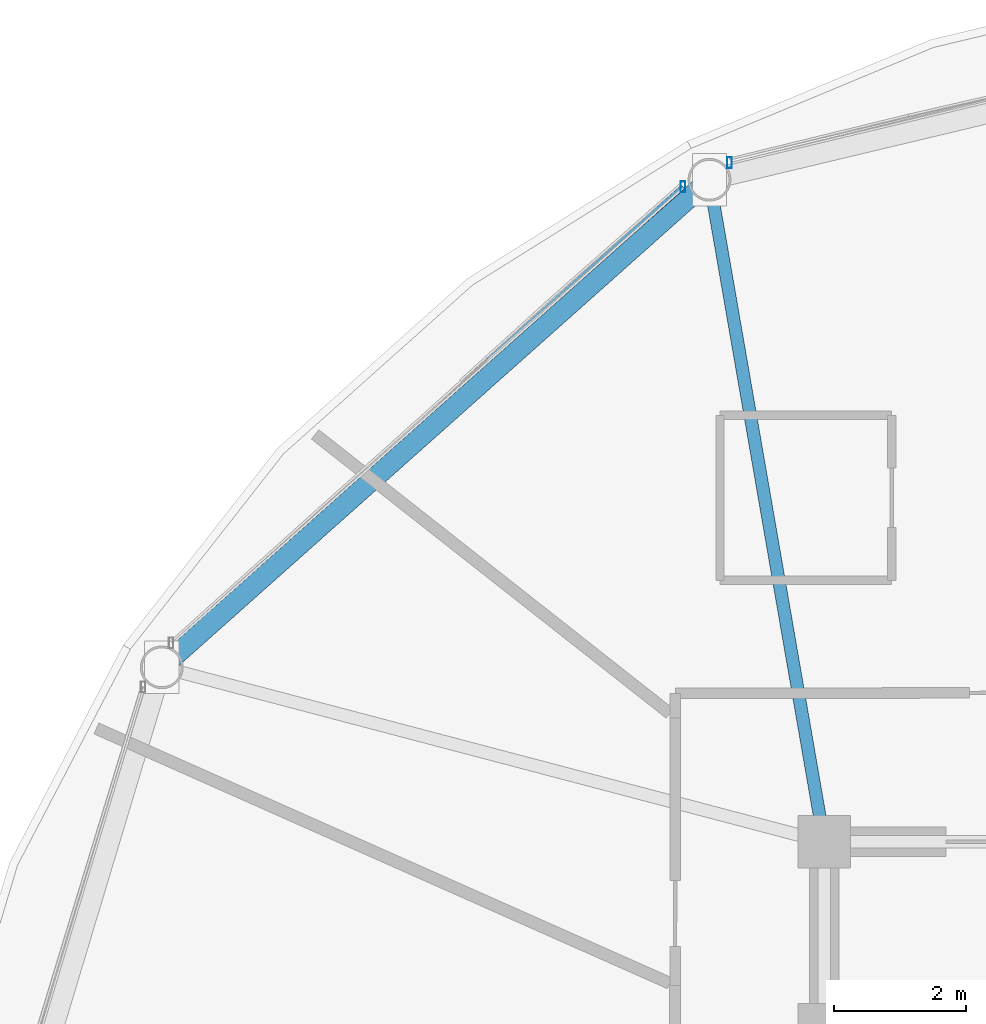
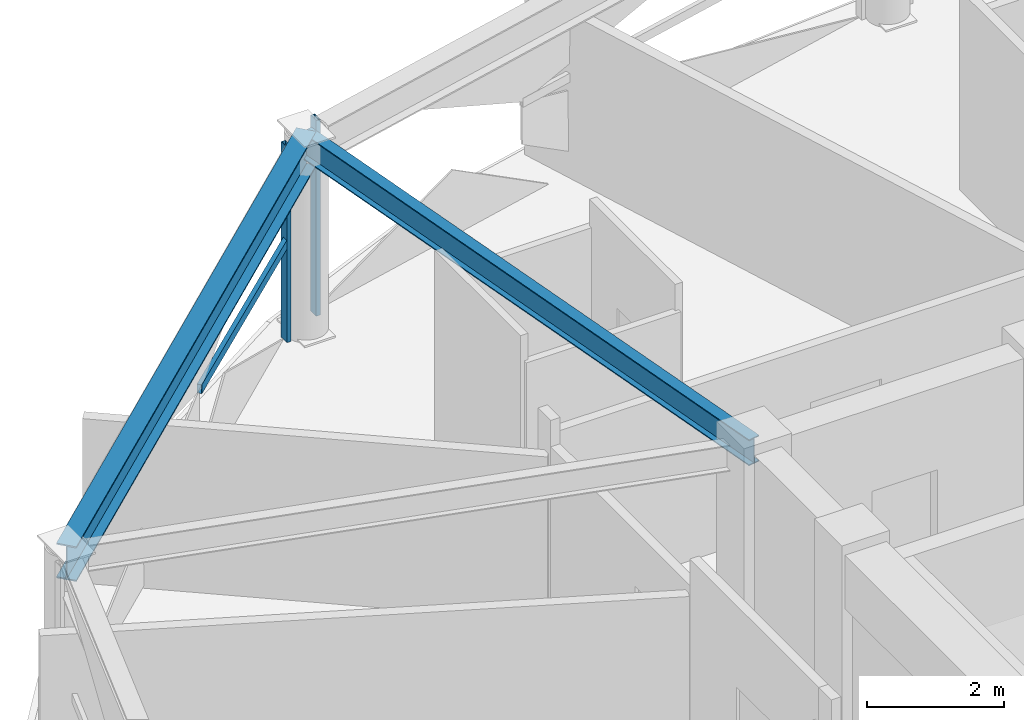
# One storey, part 17 of 30: 3 members, 2 beams, 2 elements without a shape of their own.
"""IFC4 building model written with IfcOpenShell, lengths in metres."""

import ifcopenshell
import ifcopenshell.guid

model = None  # the IFC model being written
_history = None  # IfcOwnerHistory: only IFC2X3 demands one
_inside = {}  # id of a spatial element -> (the spatial element, [elements in it])
_under = {}  # id of a project, library or spatial element -> (it, [spatial elements below it])
_declared = {}  # id of a project -> (the project, [libraries it declares])
_typed = {}  # id of a type object -> (the type object, [elements of that type])
_made_of = {}  # id of a material, layer set ... -> (it, [elements and type objects made of it])


def new_model(schema):
    """Start an empty IFC model of exactly this schema.

    Asked for "IFC4X3", IfcOpenShell would pick the latest addendum, in which some entities
    have other attributes; the version numbers below select the first issue.
    IFC2X3 requires an IfcOwnerHistory on every rooted entity: one is made here for all.
    """
    global model, _history
    if schema == "IFC4X3":
        model = ifcopenshell.file(schema_version=(4, 3, 0, 0))
    else:
        model = ifcopenshell.file(schema=schema)
    _inside.clear()
    _under.clear()
    _declared.clear()
    _typed.clear()
    _made_of.clear()
    _history = None
    if model.schema == "IFC2X3":
        org = make("IfcOrganization", Name="unknown")
        user = make(
            "IfcPersonAndOrganization",
            ThePerson=make("IfcPerson", FamilyName="unknown"),
            TheOrganization=org,
        )
        app = make(
            "IfcApplication",
            ApplicationDeveloper=org,
            Version="unknown",
            ApplicationFullName="unknown",
            ApplicationIdentifier="unknown",
        )
        _history = make(
            "IfcOwnerHistory",
            OwningUser=user,
            OwningApplication=app,
            ChangeAction="ADDED",
            CreationDate=0,
        )
    return model


def make(cls, **values):
    """One entity of the class cls with the attributes given. An attribute that is None is left unset."""
    return model.create_entity(
        cls, **{name: value for name, value in values.items() if value is not None}
    )


def rooted(cls, **values):
    """An entity with a GlobalId (a new one), such as an element, a storey or a relation."""
    return make(cls, GlobalId=ifcopenshell.guid.new(), OwnerHistory=_history, **values)


def si_unit(unit_type, name, prefix=None):
    """IfcSIUnit, for example si_unit("LENGTHUNIT", "METRE", prefix="MILLI")."""
    return make("IfcSIUnit", UnitType=unit_type, Prefix=prefix, Name=name)


def assignment(units):
    """IfcUnitAssignment: the units of a project."""
    return None if units is None else make("IfcUnitAssignment", Units=units)


def point(xyz):
    """IfcCartesianPoint."""
    return None if xyz is None else make("IfcCartesianPoint", Coordinates=xyz)


def direction(xyz):
    """IfcDirection."""
    return None if xyz is None else make("IfcDirection", DirectionRatios=xyz)


def frame(location, z_axis=None, x_axis=None):
    """IfcAxis2Placement3D, a coordinate frame: its origin and axes. An axis left out is left unset."""
    return make(
        "IfcAxis2Placement3D",
        Location=point(location),
        Axis=direction(z_axis),
        RefDirection=direction(x_axis),
    )


def frame_2d(location, x_axis=None):
    """IfcAxis2Placement2D, a coordinate frame in the plane: its origin and x axis."""
    return make(
        "IfcAxis2Placement2D", Location=point(location), RefDirection=direction(x_axis)
    )


def origin():
    """The frame at (0, 0, 0) with its axes left unset."""
    return frame((0.0, 0.0, 0.0))


def origin_2d():
    """The frame at (0, 0) in the plane with its x axis left unset."""
    return frame_2d((0.0, 0.0))


def place(relative_to, where):
    """IfcLocalPlacement: puts the frame where relative to a parent placement (None: the world)."""
    return make(
        "IfcLocalPlacement", PlacementRelTo=relative_to, RelativePlacement=where
    )


def context(
    kind, dimensions, precision=None, world=None, true_north=None, identifier=None
):
    """IfcGeometricRepresentationContext, for example the 3D "Model" context."""
    return make(
        "IfcGeometricRepresentationContext",
        ContextIdentifier=identifier,
        ContextType=kind,
        CoordinateSpaceDimension=dimensions,
        Precision=precision,
        WorldCoordinateSystem=world,
        TrueNorth=true_north,
    )


def subcontext(parent, identifier, kind, view, scale=None):
    """IfcGeometricRepresentationSubContext, for example "Body" below "Model"."""
    return make(
        "IfcGeometricRepresentationSubContext",
        ContextIdentifier=identifier,
        ContextType=kind,
        ParentContext=parent,
        TargetScale=scale,
        TargetView=view,
    )


def project(units=None, contexts=None):
    """IfcProject with its units and contexts."""
    return rooted(
        "IfcProject",
        Name="project",
        RepresentationContexts=contexts,
        UnitsInContext=assignment(units),
    )


def spatial(cls, under=None, at=None, **own):
    """A site, building, storey or space (cls), placed at a placement, below another one or the project."""
    s = rooted(cls, ObjectPlacement=at, **own)
    if under is not None:
        _under.setdefault(under.id(), (under, []))[1].append(s)
    return s


def profile(cls, at=None, kind="AREA", **sizes):
    """A parametric profile (cls). Its sizes go by their IFC names, for example OverallWidth=200.0."""
    return make(cls, ProfileType=kind, Position=at, **sizes)


def hollow_rectangle(**sizes):
    """IfcRectangleHollowProfileDef."""
    return profile("IfcRectangleHollowProfileDef", **sizes)


def i_section(**sizes):
    """IfcIShapeProfileDef."""
    return profile("IfcIShapeProfileDef", **sizes)


def extrude(swept, where, along, depth):
    """IfcExtrudedAreaSolid: the profile swept, set in the frame where, extruded along a direction by depth."""
    return make(
        "IfcExtrudedAreaSolid",
        SweptArea=swept,
        Position=where,
        ExtrudedDirection=direction(along),
        Depth=depth,
    )


def shape(context_of_items, identifier, shape_type, items):
    """IfcShapeRepresentation: the items that make up one representation, for example the "Body"."""
    return make(
        "IfcShapeRepresentation",
        ContextOfItems=context_of_items,
        RepresentationIdentifier=identifier,
        RepresentationType=shape_type,
        Items=items,
    )


def material(Name=None, Category=None):
    """IfcMaterial."""
    return make("IfcMaterial", Name=Name, Category=Category)


def layer(
    of_material, thickness, ventilated=None, Name=None, Category=None, Priority=None
):
    """IfcMaterialLayer: one layer of a wall or slab, of a material (None: an air gap)."""
    return make(
        "IfcMaterialLayer",
        Material=of_material,
        LayerThickness=thickness,
        IsVentilated=ventilated,
        Name=Name,
        Category=Category,
        Priority=Priority,
    )


def layer_set(layers, Name=None):
    """IfcMaterialLayerSet."""
    return make("IfcMaterialLayerSet", MaterialLayers=layers, LayerSetName=Name)


def material_profile(
    of_material, cross_section, Name=None, Category=None, Priority=None
):
    """IfcMaterialProfile: a cross section and its material."""
    return make(
        "IfcMaterialProfile",
        Name=Name,
        Material=of_material,
        Profile=cross_section,
        Priority=Priority,
        Category=Category,
    )


def profile_set(profiles, Name=None, composite=None):
    """IfcMaterialProfileSet."""
    return make(
        "IfcMaterialProfileSet",
        Name=Name,
        MaterialProfiles=profiles,
        CompositeProfile=composite,
    )


def made_of(thing, what):
    """Note that an element or type object is made of a material, layer set ...; save() writes the relation."""
    if what is not None:
        _made_of.setdefault(what.id(), (what, []))[1].append(thing)
    return thing


def type_object(cls, material=None, **own):
    """A type object (cls), such as IfcWallType, which elements share."""
    return made_of(rooted(cls, **own), material)


def element(
    cls,
    number,
    at=None,
    inside=None,
    cuts=None,
    type_object=None,
    material=None,
    context=None,
    identifier="Body",
    shape_type=None,
    held_by="IfcProductDefinitionShape",
    body=None,
    shapes=None,
    **own,
):
    """One element of the class cls, such as IfcWall. Its Tag is "e" and its number.

    at: its placement. inside: the storey or other place that contains it. cuts: it is an
    opening in that element (IfcRelVoidsElement). A single representation is given by context,
    identifier, shape_type and body (its items); several are given by shapes. held_by: the class
    of the entity that holds the representations. save() writes the other relations.
    """
    e = rooted(cls, Tag="e%d" % number, ObjectPlacement=at, **own)
    if body is not None:
        shapes = [shape(context, identifier, shape_type, body)]
    if shapes is not None:
        e.Representation = make(held_by, Representations=shapes)
    if inside is not None:
        _inside.setdefault(inside.id(), (inside, []))[1].append(e)
    if cuts is not None:
        rooted(
            "IfcRelVoidsElement", RelatingBuildingElement=cuts, RelatedOpeningElement=e
        )
    if type_object is not None:
        _typed.setdefault(type_object.id(), (type_object, []))[1].append(e)
    return made_of(e, material)


def aggregate(whole, parts):
    """IfcRelAggregates: a whole, such as a stair, and the parts it consists of."""
    return rooted("IfcRelAggregates", RelatingObject=whole, RelatedObjects=parts)


def save(model, path):
    """Write the relations noted so far, then the file.

    IfcRelAggregates (storeys below a building ...), IfcRelContainedInSpatialStructure (elements
    in a storey), IfcRelDefinesByType, IfcRelAssociatesMaterial and IfcRelDeclares: one each for
    every whole, place, type object, material and project.
    """
    for whole, parts in _under.values():
        aggregate(whole, parts)
    for where, things in _inside.values():
        rooted(
            "IfcRelContainedInSpatialStructure",
            RelatedElements=things,
            RelatingStructure=where,
        )
    for kind, things in _typed.values():
        rooted("IfcRelDefinesByType", RelatedObjects=things, RelatingType=kind)
    for what, things in _made_of.values():
        rooted("IfcRelAssociatesMaterial", RelatedObjects=things, RelatingMaterial=what)
    for by, libraries in _declared.values():
        rooted("IfcRelDeclares", RelatingContext=by, RelatedDefinitions=libraries)
    model.write(path)


model = new_model("IFC4")

# Units and contexts
model_context = context("Model", 3, precision=1e-05, world=origin(), true_north=direction((0.0, 1.0)))
body_context = subcontext(model_context, "Body", "Model", "MODEL_VIEW")
ifc_project = project(units=[si_unit("LENGTHUNIT", "METRE"), si_unit("AREAUNIT", "SQUARE_METRE"), si_unit("VOLUMEUNIT", "CUBIC_METRE"), si_unit("PLANEANGLEUNIT", "RADIAN"), si_unit("MASSUNIT", "GRAM", prefix="KILO")], contexts=[model_context])

# Site, building, storey
site_placement = place(None, origin())
site = spatial("IfcSite", under=ifc_project, at=site_placement, CompositionType="ELEMENT")
building_placement = place(site_placement, origin())
building = spatial("IfcBuilding", under=site, at=building_placement, Name="Vantalir Tower", CompositionType="ELEMENT")
storey_placement = place(building_placement, frame((0.0, 0.0, 193.64990234375)))
storey = spatial("IfcBuildingStorey", under=building, at=storey_placement, Name="L48", CompositionType="ELEMENT", Elevation=193.64990234375)

# Beams
ifc_material_1 = material(Name="Steel S355", Category="steel")
ifc_material_profile_1 = material_profile(ifc_material_1, i_section(OverallWidth=0.19189453125, OverallDepth=0.462890625, WebThickness=0.010498046875, FlangeThickness=0.017578125, at=origin_2d()), Name="Steel S355")
ifc_profile_set_1 = profile_set([ifc_material_profile_1], Name="Steel S355")
beam_type_1 = type_object("IfcBeamType", Name="BM-RB-457x191", PredefinedType="BEAM", material=ifc_profile_set_1)
beam_1_placement = place(storey_placement, frame((20.162109375, 42.48291015625, 3.338134765625), z_axis=(0.170667231152, -0.98532872495, 0.0), x_axis=(0.98532872495, 0.170667231152, 0.0)))
element("IfcBeam", 1, at=beam_1_placement, inside=storey, type_object=beam_type_1, Name="L48 Radial Floor Beam 05", PredefinedType="BEAM", context=body_context, shape_type="SweptSolid", body=[
    extrude(i_section(OverallWidth=0.19189453125, OverallDepth=0.462890625, WebThickness=0.010498046875, FlangeThickness=0.017578125, at=origin_2d()), origin(), (0.0, 0.0, 1.0), 10.182373046875),
])
ifc_material_2 = material(Name="Steel S460", Category="steel")
ifc_material_profile_2 = material_profile(ifc_material_2, i_section(OverallWidth=0.306884765625, OverallDepth=0.6201171875, WebThickness=0.01416015625, FlangeThickness=0.023681640625, at=origin_2d()), Name="Steel S460")
ifc_profile_set_2 = profile_set([ifc_material_profile_2], Name="Steel S460")
beam_type_2 = type_object("IfcBeamType", Name="BM-RG-610x305", PredefinedType="USERDEFINED", material=ifc_profile_set_2)
beam_2_placement = place(storey_placement, frame((20.162109375, 42.48291015625, 3.260009765625), z_axis=(-0.746913346666, -0.664921388265, 0.0), x_axis=(0.664921388265, -0.746913346666, 0.0)))
element("IfcBeam", 2, at=beam_2_placement, inside=storey, type_object=beam_type_2, Name="L48 Circumferential Ring Girder 05", ObjectType="GIRDER", PredefinedType="USERDEFINED", context=body_context, shape_type="SweptSolid", body=[
    extrude(i_section(OverallWidth=0.306884765625, OverallDepth=0.6201171875, WebThickness=0.01416015625, FlangeThickness=0.023681640625, at=origin_2d()), origin(), (0.0, 0.0, 1.0), 11.112548828125),
])

# Curtain wall, member
ifc_material_3 = material(Name="Champagne-silver PVDF aluminium and double-silver Low-E glass", Category="aluminium")
ifc_layer = layer(ifc_material_3, 0.2099609375)
ifc_layer_set = layer_set([ifc_layer], Name="Champagne-silver PVDF aluminium and double-silver Low-E glass")
curtain_wall_type = type_object("IfcCurtainWallType", Name="CW-DIAMOND-Z3", PredefinedType="USERDEFINED", material=ifc_layer_set)
curtain_wall_1_placement = place(storey_placement, origin())
curtain_wall_1 = element("IfcCurtainWall", 3, at=curtain_wall_1_placement, inside=storey, type_object=curtain_wall_type, Name="L48 Quilted Pyramid-Diamond Curtain Wall S04", ObjectType="UNITISED CURTAIN WALL", PredefinedType="USERDEFINED")
ifc_material_4 = material(Name="Champagne-silver PVDF aluminium 6063-T6", Category="aluminium")
ifc_material_profile_3 = material_profile(ifc_material_4, hollow_rectangle(XDim=0.070068359375, YDim=0.1650390625, WallThickness=0.00390625, at=origin_2d()), Name="Champagne-silver PVDF aluminium 6063-T6")
ifc_profile_set_3 = profile_set([ifc_material_profile_3], Name="Champagne-silver PVDF aluminium 6063-T6")
member_type_1 = type_object("IfcMemberType", Name="CWM-165x70", PredefinedType="MULLION", material=ifc_profile_set_3)
member_1_placement = place(storey_placement, frame((20.466064453125, 42.742919921875, 0.045166015625), z_axis=(0.0, 0.0, 1.0), x_axis=(1.0, 0.0, 0.0)))
member_1 = element("IfcMember", 4, at=member_1_placement, type_object=member_type_1, Name="CW-L48-S04 Mullion 2", PredefinedType="MULLION", context=body_context, shape_type="SweptSolid", body=[
    extrude(hollow_rectangle(XDim=0.070068359375, YDim=0.1650390625, WallThickness=0.00390625, at=origin_2d()), origin(), (0.0, 0.0, 1.0), 3.47998046875),
])
aggregate(curtain_wall_1, [member_1])

# Curtain wall, members
curtain_wall_2_placement = place(storey_placement, origin())
curtain_wall_2 = element("IfcCurtainWall", 5, at=curtain_wall_2_placement, inside=storey, type_object=curtain_wall_type, Name="L48 Quilted Pyramid-Diamond Curtain Wall S05", ObjectType="UNITISED CURTAIN WALL", PredefinedType="USERDEFINED")
member_2_placement = place(storey_placement, frame((19.760986328125, 42.375, 0.045166015625), z_axis=(0.0, 0.0, 1.0), x_axis=(1.0, 0.0, 0.0)))
member_2 = element("IfcMember", 6, at=member_2_placement, type_object=member_type_1, Name="CW-L48-S05 Mullion 1", PredefinedType="MULLION", context=body_context, shape_type="SweptSolid", body=[
    extrude(hollow_rectangle(XDim=0.070068359375, YDim=0.1650390625, WallThickness=0.00390625, at=origin_2d()), origin(), (0.0, 0.0, 1.0), 3.47998046875),
])
ifc_material_profile_4 = material_profile(ifc_material_4, hollow_rectangle(XDim=0.074951171875, YDim=0.159912109375, WallThickness=0.00390625, at=origin_2d()), Name="Champagne-silver PVDF aluminium 6063-T6")
ifc_profile_set_4 = profile_set([ifc_material_profile_4], Name="Champagne-silver PVDF aluminium 6063-T6")
member_type_2 = type_object("IfcMemberType", Name="CWT-160x75", PredefinedType="USERDEFINED", material=ifc_profile_set_4)
member_3_placement = place(storey_placement, frame((19.760986328125, 42.375, 1.78515625), z_axis=(-0.750609293483, -0.660746311785, 0.0), x_axis=(0.660746311785, -0.750609293483, 0.0)))
member_3 = element("IfcMember", 7, at=member_3_placement, type_object=member_type_2, Name="CW-L48-S05 Pyramid Fold Ridge Transom", ObjectType="TRANSOM", PredefinedType="USERDEFINED", context=body_context, shape_type="SweptSolid", body=[
    extrude(hollow_rectangle(XDim=0.074951171875, YDim=0.159912109375, WallThickness=0.00390625, at=origin_2d()), origin(), (0.0, 0.0, 1.0), 3.9501953125),
])
aggregate(curtain_wall_2, [member_2, member_3])

save(model, "model.ifc")
